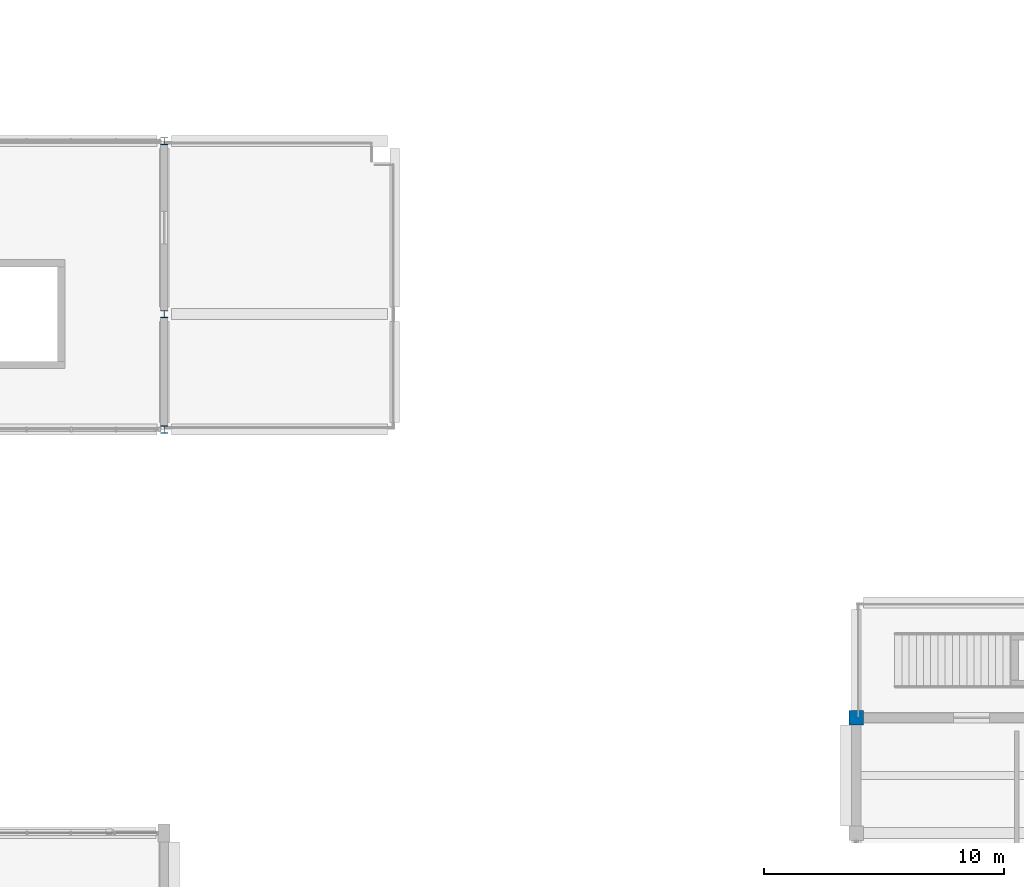
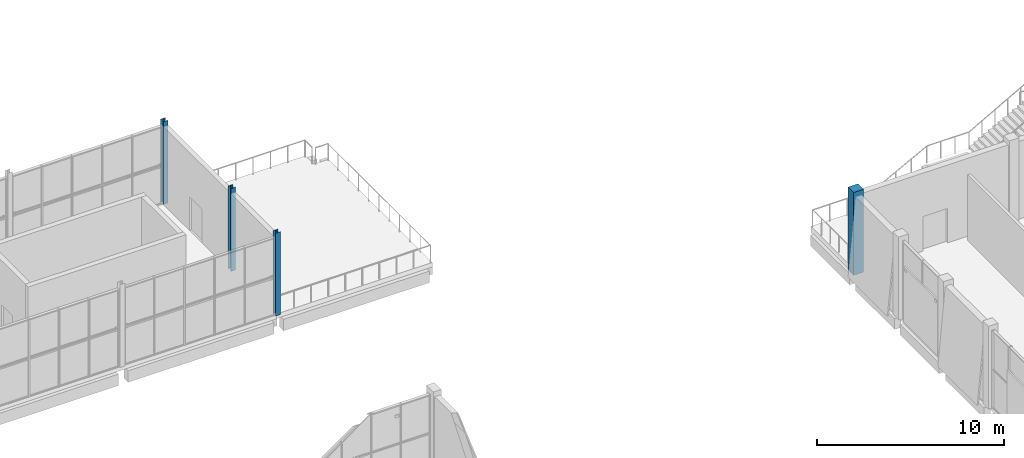
# One storey, part 4 of 83: 4 columns.
"""IFC4 building model written with IfcOpenShell, lengths in metres."""

from ifc_helpers import new_model, si_unit, direction, frame, origin, origin_2d, place, context, subcontext, project, spatial, rectangle, i_section, extrude, material, material_profile, profile_set, type_object, element, save


model = new_model("IFC4")

# Units and contexts
model_context = context("Model", 3, precision=1e-05, world=origin(), true_north=direction((0.0, 1.0)))
body_context = subcontext(model_context, "Body", "Model", "MODEL_VIEW")
ifc_project = project(units=[si_unit("LENGTHUNIT", "METRE"), si_unit("AREAUNIT", "SQUARE_METRE"), si_unit("VOLUMEUNIT", "CUBIC_METRE"), si_unit("PLANEANGLEUNIT", "RADIAN"), si_unit("MASSUNIT", "GRAM", prefix="KILO")], contexts=[model_context])

# Site, building, storey
site_placement = place(None, origin())
site = spatial("IfcSite", under=ifc_project, at=site_placement, CompositionType="ELEMENT")
building_placement = place(site_placement, origin())
building = spatial("IfcBuilding", under=site, at=building_placement, Name="Shalvenor Court Art Gallery", CompositionType="ELEMENT")
storey_placement = place(building_placement, frame((0.0, 0.0, 6.0)))
storey = spatial("IfcBuildingStorey", under=building, at=storey_placement, Name="L01", CompositionType="ELEMENT", Elevation=6.0)

# Columns
ifc_material_1 = material(Name="Concrete C40/50", Category="concrete")
ifc_material_profile_1 = material_profile(ifc_material_1, rectangle(XDim=0.60009765625, YDim=0.60009765625, at=origin_2d()), Name="RC 600x600")
ifc_profile_set_1 = profile_set([ifc_material_profile_1], Name="Concrete C40/50")
column_type_1 = type_object("IfcColumnType", Name="C-03E", PredefinedType="COLUMN", material=ifc_profile_set_1)
column_placement = place(storey_placement, frame((96.0, 33.60009765625, 0.0), z_axis=(0.0, 0.0, 1.0), x_axis=(1.0, 0.0, 0.0)))
element("IfcColumn", 1, at=column_placement, inside=storey, type_object=column_type_1, Name="L01 Column COL-L01-C-03E-0367", PredefinedType="COLUMN", context=body_context, shape_type="SweptSolid", body=[
    extrude(rectangle(XDim=0.60009765625, YDim=0.60009765625, at=origin_2d()), origin(), (0.0, 0.0, 1.0), 5.39990234375),
])
ifc_material_2 = material(Name="Steel S355", Category="steel")
ifc_material_profile_2 = material_profile(ifc_material_2, i_section(OverallWidth=0.300048828125, OverallDepth=0.300048828125, WebThickness=0.010986328125, FlangeThickness=0.01904296875, at=origin_2d()), Name="HEB 300")
ifc_profile_set_2 = profile_set([ifc_material_profile_2], Name="Steel S355")
column_type_2 = type_object("IfcColumnType", Name="C-10", PredefinedType="COLUMN", material=ifc_profile_set_2)
for number, where, z_axis, x_axis, name in (
    (2, (67.199951171875, 45.60009765625, 0.0), (0.0, 0.0, 1.0), (1.0, 0.0, 0.0), "L01 Column COL-L01-C-10-0271"),
    (3, (67.199951171875, 50.39990234375, 0.0), (0.0, 0.0, 1.0), (1.0, 0.0, 0.0), "L01 Column COL-L01-C-10-0274"),
    (4, (67.199951171875, 57.60009765625, 0.0), (0.0, 0.0, 1.0), (1.0, 0.0, 0.0), "L01 Column COL-L01-C-10-0277"),
):
    element("IfcColumn", number, at=place(storey_placement, frame(where, z_axis=z_axis, x_axis=x_axis)), inside=storey, type_object=column_type_2, Name=name, PredefinedType="COLUMN", context=body_context, shape_type="SweptSolid", body=[
        extrude(i_section(OverallWidth=0.300048828125, OverallDepth=0.300048828125, WebThickness=0.010986328125, FlangeThickness=0.01904296875, at=origin_2d()), origin(), (0.0, 0.0, 1.0), 5.39990234375),
    ])

save(model, "model.ifc")
